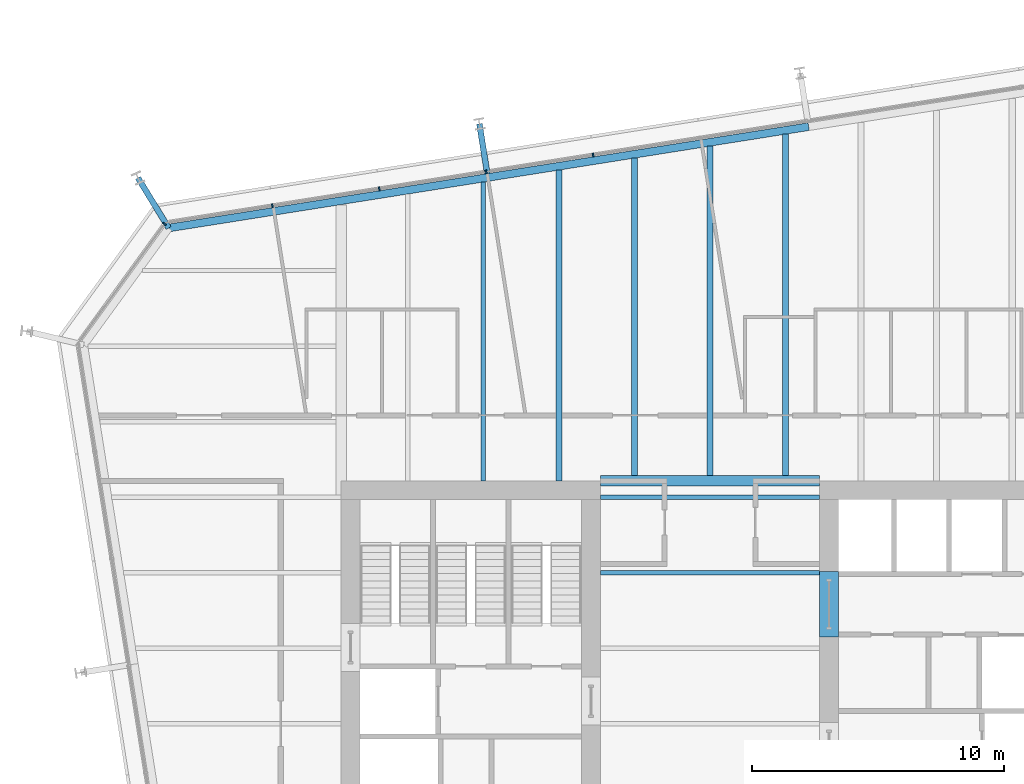
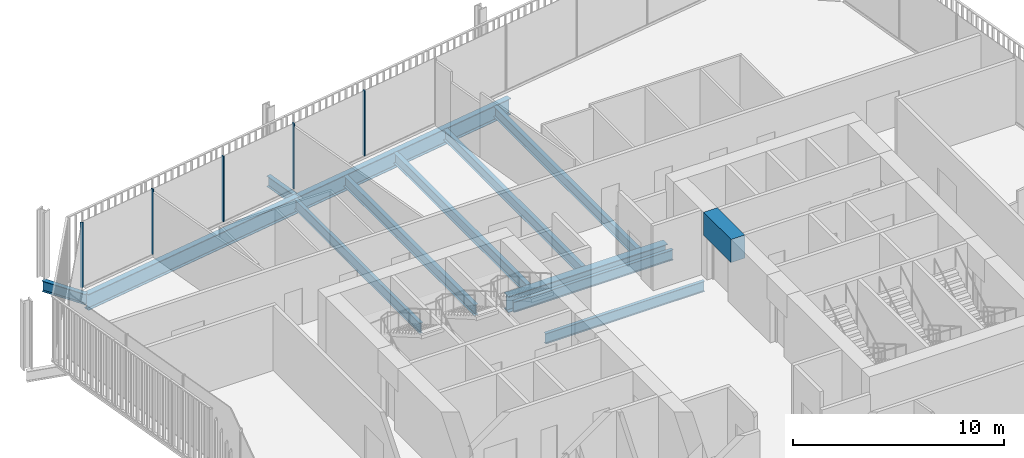
# One storey, part 11 of 21: 13 beams, 5 members, 2 elements without a shape of their own.
"""IFC4 building model written with IfcOpenShell, lengths in metres."""

from ifc_helpers import new_model, si_unit, direction, frame, origin, origin_2d, place, context, subcontext, project, spatial, rectangle, i_section, extrude, material, layer, layer_set, material_profile, profile_set, type_object, element, aggregate, save


model = new_model("IFC4")

# Units and contexts
model_context = context("Model", 3, precision=1e-05, world=origin(), true_north=direction((0.0, 1.0)))
body_context = subcontext(model_context, "Body", "Model", "MODEL_VIEW")
ifc_project = project(units=[si_unit("LENGTHUNIT", "METRE"), si_unit("AREAUNIT", "SQUARE_METRE"), si_unit("VOLUMEUNIT", "CUBIC_METRE"), si_unit("PLANEANGLEUNIT", "RADIAN"), si_unit("MASSUNIT", "GRAM", prefix="KILO")], contexts=[model_context])

# Site, building, storey
site_placement = place(None, origin())
site = spatial("IfcSite", under=ifc_project, at=site_placement, CompositionType="ELEMENT")
building_placement = place(site_placement, origin())
building = spatial("IfcBuilding", under=site, at=building_placement, Name="Millrace Tower", CompositionType="ELEMENT")
storey_placement = place(building_placement, frame((0.0, 0.0, 183.89990234375)))
storey = spatial("IfcBuildingStorey", under=building, at=storey_placement, Name="L41", CompositionType="ELEMENT", Elevation=183.89990234375)

# Curtain wall, members
ifc_material_1 = material(Name="Aluminium and glass", Category="aluminium")
ifc_layer = layer(ifc_material_1, 0.14990234375)
ifc_layer_set = layer_set([ifc_layer], Name="Aluminium and glass")
curtain_wall_type = type_object("IfcCurtainWallType", Name="CW-1 office vision curtain wall", PredefinedType="NOTDEFINED", material=ifc_layer_set)
placement = place(storey_placement, origin())
curtain_wall_1 = element("IfcCurtainWall", 1, at=placement, inside=storey, type_object=curtain_wall_type, Name="Curtain wall C-F06 L41", PredefinedType="NOTDEFINED")
ifc_material_2 = material(Name="Aluminium", Category="aluminium")
ifc_material_profile_1 = material_profile(ifc_material_2, rectangle(XDim=0.06494140625, YDim=0.14990234375, at=origin_2d()))
ifc_profile_set_1 = profile_set([ifc_material_profile_1], Name="Aluminium")
member_type = type_object("IfcMemberType", Name="CW-1 office vision curtain wall mullion", PredefinedType="MULLION", material=ifc_profile_set_1)
member_1_placement = place(storey_placement, frame((-4.6435546875, 22.59326171875, 0.14013671875), z_axis=(0.0, 0.0, 1.0), x_axis=(-0.98768833929, -0.15643447328, 0.0)))
member_1 = element("IfcMember", 2, at=member_1_placement, type_object=member_type, Name="CW1 mullion C-F06.6", PredefinedType="MULLION", context=body_context, shape_type="SweptSolid", body=[
    extrude(rectangle(XDim=0.06494140625, YDim=0.14990234375, at=origin_2d()), origin(), (0.0, 0.0, 1.0), 3.760009765625),
])
member_2_placement = place(storey_placement, frame((-8.890625, 21.920654296875, 0.14013671875), z_axis=(0.0, 0.0, 1.0), x_axis=(-0.98768833929, -0.15643447328, 0.0)))
member_2 = element("IfcMember", 3, at=member_2_placement, type_object=member_type, Name="CW1 mullion C-F06.7", PredefinedType="MULLION", context=body_context, shape_type="SweptSolid", body=[
    extrude(rectangle(XDim=0.06494140625, YDim=0.14990234375, at=origin_2d()), origin(), (0.0, 0.0, 1.0), 3.760009765625),
])
member_3_placement = place(storey_placement, frame((-13.1376953125, 21.248046875, 0.14013671875), z_axis=(0.0, 0.0, 1.0), x_axis=(-0.98768833929, -0.15643447328, 0.0)))
member_3 = element("IfcMember", 4, at=member_3_placement, type_object=member_type, Name="CW1 mullion C-F06.8", PredefinedType="MULLION", context=body_context, shape_type="SweptSolid", body=[
    extrude(rectangle(XDim=0.06494140625, YDim=0.14990234375, at=origin_2d()), origin(), (0.0, 0.0, 1.0), 3.760009765625),
])
member_4_placement = place(storey_placement, frame((-17.384765625, 20.575439453125, 0.14013671875), z_axis=(0.0, 0.0, 1.0), x_axis=(-0.98768833929, -0.15643447328, 0.0)))
member_4 = element("IfcMember", 5, at=member_4_placement, type_object=member_type, Name="CW1 mullion C-F06.9", PredefinedType="MULLION", context=body_context, shape_type="SweptSolid", body=[
    extrude(rectangle(XDim=0.06494140625, YDim=0.14990234375, at=origin_2d()), origin(), (0.0, 0.0, 1.0), 3.760009765625),
])
aggregate(curtain_wall_1, [member_1, member_2, member_3, member_4])

# Curtain wall, member
curtain_wall_2 = element("IfcCurtainWall", 6, at=placement, inside=storey, type_object=curtain_wall_type, Name="Curtain wall C-F07 L41", PredefinedType="NOTDEFINED")
member_5_placement = place(storey_placement, frame((-21.667724609375, 19.8515625, 0.14013671875), z_axis=(0.0, 0.0, 1.0), x_axis=(-0.587785269844, -0.809016981623, 0.0)))
member_5 = element("IfcMember", 7, at=member_5_placement, type_object=member_type, Name="CW1 mullion C-F07.1", PredefinedType="MULLION", context=body_context, shape_type="SweptSolid", body=[
    extrude(rectangle(XDim=0.06494140625, YDim=0.14990234375, at=origin_2d()), origin(), (0.0, 0.0, 1.0), 3.760009765625),
])
aggregate(curtain_wall_2, [member_5])

# Beams
ifc_material_3 = material(Name="Concrete C70", Category="concrete")
ifc_material_profile_2 = material_profile(ifc_material_3, rectangle(XDim=0.75, YDim=1.340087890625, at=origin_2d()))
ifc_profile_set_2 = profile_set([ifc_material_profile_2], Name="Concrete C70")
beam_type_1 = type_object("IfcBeamType", Name="Coupling beam 750 x 1340 Concrete C70, 2000 opening", PredefinedType="BEAM", material=ifc_profile_set_2)
beam_1_placement = place(storey_placement, frame((4.72509765625, 6.050048828125, 3.070068359375), z_axis=(0.0, -1.0, 0.0), x_axis=(1.0, 0.0, 0.0)))
element("IfcBeam", 8, at=beam_1_placement, inside=storey, type_object=beam_type_1, Name="Coupling beam E L41", PredefinedType="BEAM", context=body_context, shape_type="SweptSolid", body=[
    extrude(rectangle(XDim=0.75, YDim=1.340087890625, at=origin_2d()), origin(), (0.0, 0.0, 1.0), 2.60009765625),
])
ifc_material_4 = material(Name="Steel ASTM A992 Grade 50", Category="steel")
ifc_material_profile_3 = material_profile(ifc_material_4, i_section(OverallWidth=0.177978515625, OverallDepth=0.599365234375, WebThickness=0.010009765625, FlangeThickness=0.012939453125, FilletRadius=0.012939453125, at=origin_2d()))
ifc_profile_set_3 = profile_set([ifc_material_profile_3], Name="Steel ASTM A992 Grade 50")
beam_type_2 = type_object("IfcBeamType", Name="Floor beam W24x55", PredefinedType="JOIST", material=ifc_profile_set_3)
for number, where, z_axis, x_axis, name in (
    (9, (-4.35009765625, 6.0, -0.459716796875), (1.0, 0.0, 0.0), (0.0, 1.0, 0.0), "BM-C-L41-S1-S025"),
    (10, (-4.35009765625, 9.0, -0.459716796875), (1.0, 0.0, 0.0), (0.0, 1.0, 0.0), "BM-C-L41-S1-S028"),
):
    element("IfcBeam", number, at=place(storey_placement, frame(where, z_axis=z_axis, x_axis=x_axis)), inside=storey, type_object=beam_type_2, Name=name, PredefinedType="JOIST", context=body_context, shape_type="SweptSolid", body=[
        extrude(i_section(OverallWidth=0.177978515625, OverallDepth=0.599365234375, WebThickness=0.010009765625, FlangeThickness=0.012939453125, FilletRadius=0.012939453125, at=origin_2d()), origin(), (0.0, 0.0, 1.0), 8.7001953125),
    ])
ifc_material_5 = material(Name="Steel ASTM A992 Grade 50", Category="steel")
ifc_material_profile_4 = material_profile(ifc_material_5, i_section(OverallWidth=0.1787109375, OverallDepth=0.60205078125, WebThickness=0.010986328125, FlangeThickness=0.014892578125, FilletRadius=0.0126953125, at=origin_2d()))
ifc_profile_set_4 = profile_set([ifc_material_profile_4], Name="Steel ASTM A992 Grade 50")
beam_type_3 = type_object("IfcBeamType", Name="Floor beam W24x62", PredefinedType="JOIST", material=ifc_profile_set_4)
beam_2_placement = place(storey_placement, frame((-9.0, 9.64990234375, -0.4609375), z_axis=(0.0, 1.0, 0.0), x_axis=(-1.0, 0.0, 0.0)))
element("IfcBeam", 11, at=beam_2_placement, inside=storey, type_object=beam_type_3, Name="BM-C-L41-S1-S041", PredefinedType="JOIST", context=body_context, shape_type="SweptSolid", body=[
    extrude(i_section(OverallWidth=0.1787109375, OverallDepth=0.60205078125, WebThickness=0.010986328125, FlangeThickness=0.014892578125, FilletRadius=0.0126953125, at=origin_2d()), origin(), (0.0, 0.0, 1.0), 11.866455078125),
])
ifc_material_6 = material(Name="Steel ASTM A992 Grade 50", Category="steel")
ifc_material_profile_5 = material_profile(ifc_material_6, i_section(OverallWidth=0.228271484375, OverallDepth=0.607177734375, WebThickness=0.01123046875, FlangeThickness=0.017333984375, FilletRadius=0.0126953125, at=origin_2d()))
ifc_profile_set_5 = profile_set([ifc_material_profile_5], Name="Steel ASTM A992 Grade 50")
beam_type_4 = type_object("IfcBeamType", Name="Floor beam W24x76", PredefinedType="JOIST", material=ifc_profile_set_5)
beam_3_placement = place(storey_placement, frame((-6.0, 9.64990234375, -0.46337890625), z_axis=(0.0, 1.0, 0.0), x_axis=(-1.0, 0.0, 0.0)))
element("IfcBeam", 12, at=beam_3_placement, inside=storey, type_object=beam_type_4, Name="BM-C-L41-S1-S043", PredefinedType="JOIST", context=body_context, shape_type="SweptSolid", body=[
    extrude(i_section(OverallWidth=0.228271484375, OverallDepth=0.607177734375, WebThickness=0.01123046875, FlangeThickness=0.017333984375, FilletRadius=0.0126953125, at=origin_2d()), origin(), (0.0, 0.0, 1.0), 12.341552734375),
])
beam_4_placement = place(storey_placement, frame((-3.0, 9.859619140625, -0.46337890625), z_axis=(0.0, 1.0, 0.0), x_axis=(-1.0, 0.0, 0.0)))
element("IfcBeam", 13, at=beam_4_placement, inside=storey, type_object=beam_type_4, Name="BM-C-L41-S1-S045", PredefinedType="JOIST", context=body_context, shape_type="SweptSolid", body=[
    extrude(i_section(OverallWidth=0.228271484375, OverallDepth=0.607177734375, WebThickness=0.01123046875, FlangeThickness=0.017333984375, FilletRadius=0.0126953125, at=origin_2d()), origin(), (0.0, 0.0, 1.0), 12.60693359375),
])
beam_5_placement = place(storey_placement, frame((0.0, 9.859619140625, -0.46337890625), z_axis=(0.0, 1.0, 0.0), x_axis=(-1.0, 0.0, 0.0)))
element("IfcBeam", 14, at=beam_5_placement, inside=storey, type_object=beam_type_4, Name="BM-C-L41-S1-S047", PredefinedType="JOIST", context=body_context, shape_type="SweptSolid", body=[
    extrude(i_section(OverallWidth=0.228271484375, OverallDepth=0.607177734375, WebThickness=0.01123046875, FlangeThickness=0.017333984375, FilletRadius=0.0126953125, at=origin_2d()), origin(), (0.0, 0.0, 1.0), 13.08203125),
])
beam_6_placement = place(storey_placement, frame((3.0, 9.859619140625, -0.46337890625), z_axis=(0.0, 1.0, 0.0), x_axis=(-1.0, 0.0, 0.0)))
element("IfcBeam", 15, at=beam_6_placement, inside=storey, type_object=beam_type_4, Name="BM-C-L41-S1-S049", PredefinedType="JOIST", context=body_context, shape_type="SweptSolid", body=[
    extrude(i_section(OverallWidth=0.228271484375, OverallDepth=0.607177734375, WebThickness=0.01123046875, FlangeThickness=0.017333984375, FilletRadius=0.0126953125, at=origin_2d()), origin(), (0.0, 0.0, 1.0), 13.55712890625),
])
ifc_material_7 = material(Name="Steel ASTM A992 Grade 50", Category="steel")
ifc_material_profile_6 = material_profile(ifc_material_7, i_section(OverallWidth=0.419189453125, OverallDepth=0.927001953125, WebThickness=0.019287109375, FlangeThickness=0.031982421875, FilletRadius=0.024169921875, at=origin_2d()))
ifc_profile_set_6 = profile_set([ifc_material_profile_6], Name="Steel ASTM A992 Grade 50")
beam_type_5 = type_object("IfcBeamType", Name="Girder short span W36x231", PredefinedType="BEAM", material=ifc_profile_set_6)
beam_7_placement = place(storey_placement, frame((-4.35009765625, 9.64990234375, -0.62353515625), z_axis=(1.0, 0.0, 0.0), x_axis=(0.0, 1.0, 0.0)))
element("IfcBeam", 16, at=beam_7_placement, inside=storey, type_object=beam_type_5, Name="BM-C-L41-S1-G061", PredefinedType="BEAM", context=body_context, shape_type="SweptSolid", body=[
    extrude(i_section(OverallWidth=0.419189453125, OverallDepth=0.927001953125, WebThickness=0.019287109375, FlangeThickness=0.031982421875, FilletRadius=0.024169921875, at=origin_2d()), origin(), (0.0, 0.0, 1.0), 8.7001953125),
])
ifc_material_8 = material(Name="Steel ASTM A992 Grade 50", Category="steel")
ifc_material_profile_7 = material_profile(ifc_material_8, i_section(OverallWidth=0.23046875, OverallDepth=0.6171875, WebThickness=0.01318359375, FlangeThickness=0.022216796875, FilletRadius=0.012939453125, at=origin_2d()))
ifc_profile_set_7 = profile_set([ifc_material_profile_7], Name="Steel ASTM A992 Grade 50")
beam_type_6 = type_object("IfcBeamType", Name="Link beam W24x94", PredefinedType="BEAM", material=ifc_profile_set_7)
beam_8_placement = place(storey_placement, frame((-21.5009765625, 19.69189453125, -0.468505859375), z_axis=(-0.522512938711, 0.852631355792, 0.0), x_axis=(-0.852631355792, -0.522512938711, 0.0)))
element("IfcBeam", 17, at=beam_8_placement, inside=storey, type_object=beam_type_6, Name="LNK-C-L41-S1-05", PredefinedType="BEAM", context=body_context, shape_type="SweptSolid", body=[
    extrude(i_section(OverallWidth=0.23046875, OverallDepth=0.6171875, WebThickness=0.01318359375, FlangeThickness=0.022216796875, FilletRadius=0.012939453125, at=origin_2d()), origin(), (0.0, 0.0, 1.0), 2.3310546875),
])
beam_9_placement = place(storey_placement, frame((-8.8466796875, 21.8515625, -0.468505859375), z_axis=(-0.156476509441, 0.987681680499, 0.0), x_axis=(-0.987681680499, -0.156476509441, 0.0)))
element("IfcBeam", 18, at=beam_9_placement, inside=storey, type_object=beam_type_6, Name="LNK-C-L41-S1-06", PredefinedType="BEAM", context=body_context, shape_type="SweptSolid", body=[
    extrude(i_section(OverallWidth=0.23046875, OverallDepth=0.6171875, WebThickness=0.01318359375, FlangeThickness=0.022216796875, FilletRadius=0.012939453125, at=origin_2d()), origin(), (0.0, 0.0, 1.0), 2.000244140625),
])
ifc_material_9 = material(Name="Steel ASTM A992 Grade 50", Category="steel")
ifc_material_profile_8 = material_profile(ifc_material_9, i_section(OverallWidth=0.307373046875, OverallDepth=0.927001953125, WebThickness=0.01953125, FlangeThickness=0.031982421875, FilletRadius=0.01904296875, at=origin_2d()))
ifc_profile_set_8 = profile_set([ifc_material_profile_8], Name="Steel ASTM A992 Grade 50")
beam_type_7 = type_object("IfcBeamType", Name="Ring beam medium span W36x194", PredefinedType="SPANDREL", material=ifc_profile_set_8)
beam_10_placement = place(storey_placement, frame((-21.5009765625, 19.69189453125, -0.62353515625), z_axis=(0.987688058438, 0.156436246498, 0.0), x_axis=(-0.156436246498, 0.987688058438, 0.0)))
element("IfcBeam", 19, at=beam_10_placement, inside=storey, type_object=beam_type_7, Name="RNG-C-L41-S1-05", PredefinedType="SPANDREL", context=body_context, shape_type="SweptSolid", body=[
    extrude(i_section(OverallWidth=0.307373046875, OverallDepth=0.927001953125, WebThickness=0.01953125, FlangeThickness=0.031982421875, FilletRadius=0.01904296875, at=origin_2d()), origin(), (0.0, 0.0, 1.0), 12.836181640625),
])
beam_11_placement = place(storey_placement, frame((-8.82275390625, 21.699951171875, -0.62353515625), z_axis=(0.987687659758, 0.156438763615, 0.0), x_axis=(-0.156438763615, 0.987687659758, 0.0)))
element("IfcBeam", 20, at=beam_11_placement, inside=storey, type_object=beam_type_7, Name="RNG-C-L41-S1-06", PredefinedType="SPANDREL", context=body_context, shape_type="SweptSolid", body=[
    extrude(i_section(OverallWidth=0.307373046875, OverallDepth=0.927001953125, WebThickness=0.01953125, FlangeThickness=0.031982421875, FilletRadius=0.01904296875, at=origin_2d()), origin(), (0.0, 0.0, 1.0), 12.900146484375),
])

save(model, "model.ifc")
